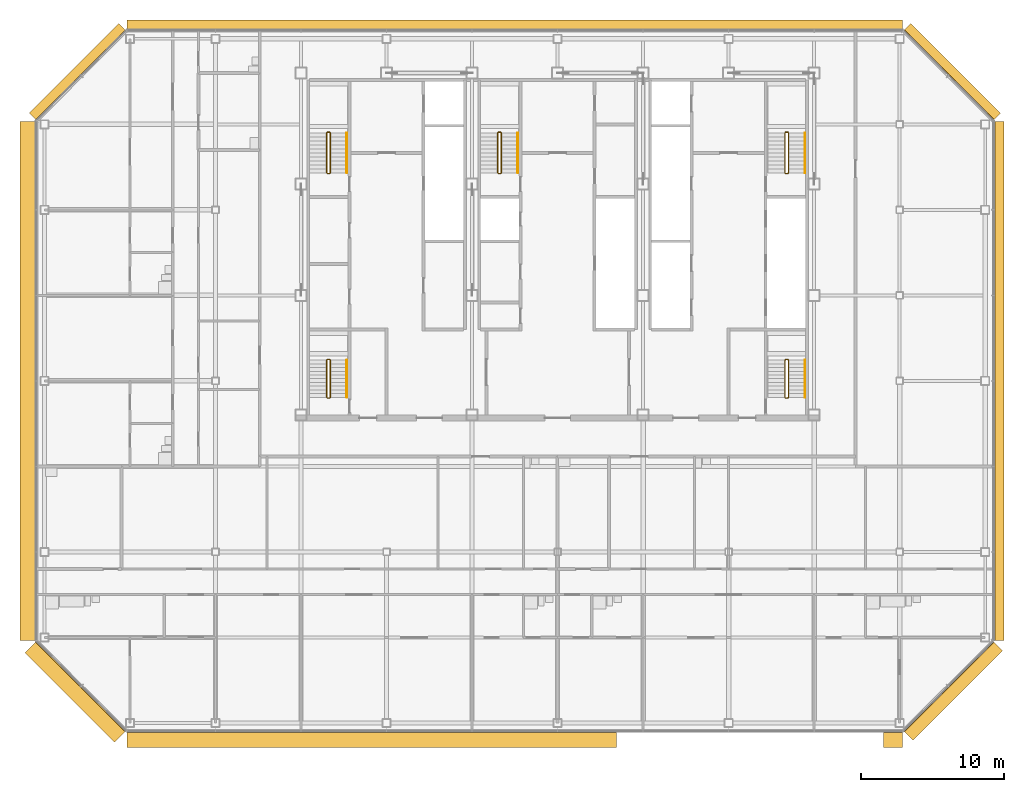
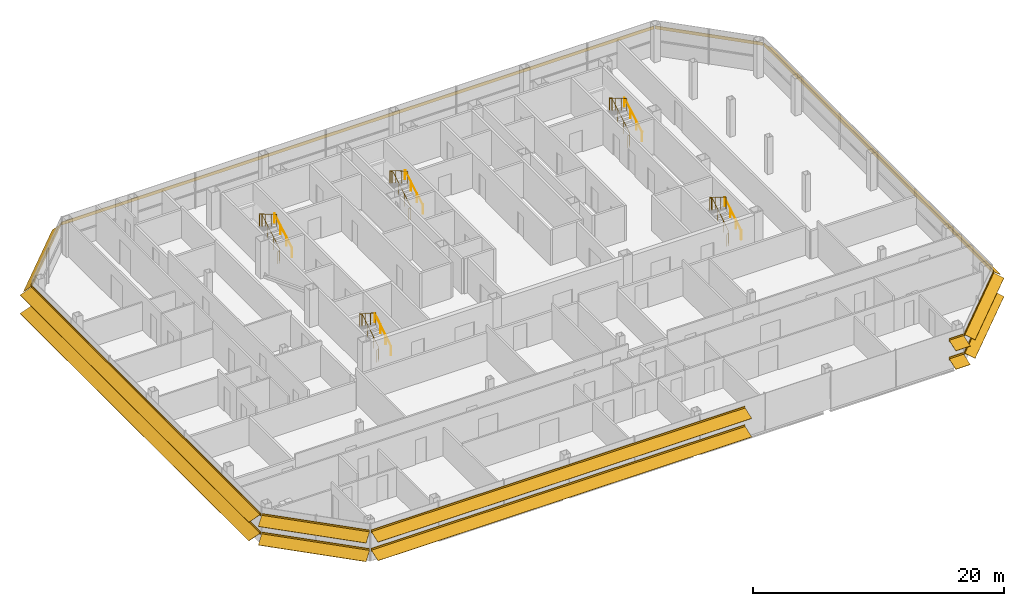
# One storey, part 27 of 28: 10 railings, 9 shading devices.
"""IFC4 building model written with IfcOpenShell, lengths in metres."""

from ifc_helpers import new_model, si_unit, direction, frame, origin, origin_2d, place, context, subcontext, project, spatial, polyline, circle, outline, composite_profile, extrude, material, type_object, element, save


model = new_model("IFC4")

# Units and contexts
model_context = context("Model", 3, precision=1e-05, world=origin(), true_north=direction((0.0, 1.0)))
body_context = subcontext(model_context, "Body", "Model", "MODEL_VIEW")
ifc_project = project(units=[si_unit("LENGTHUNIT", "METRE"), si_unit("AREAUNIT", "SQUARE_METRE"), si_unit("VOLUMEUNIT", "CUBIC_METRE"), si_unit("PLANEANGLEUNIT", "RADIAN"), si_unit("MASSUNIT", "GRAM", prefix="KILO")], contexts=[model_context])

# Site, building, storey
site_placement = place(None, origin())
site = spatial("IfcSite", under=ifc_project, at=site_placement, CompositionType="ELEMENT")
building_placement = place(site_placement, origin())
building = spatial("IfcBuilding", under=site, at=building_placement, Name="Sorahane Residences", CompositionType="ELEMENT")
storey_placement = place(building_placement, frame((0.0, 0.0, 266.60009765625)))
storey = spatial("IfcBuildingStorey", under=building, at=storey_placement, Name="L63", CompositionType="ELEMENT", Elevation=266.60009765625)

# Shading devices
ifc_material_1 = material(Name="Terracotta anodised aluminium", Category="masonry")
shading_device_type_1 = type_object("IfcShadingDeviceType", Name="Louvre sunshade blade E terracotta aluminium 700", PredefinedType="JALOUSIE", material=ifc_material_1)
shading_device_1_placement = place(storey_placement, frame((54.60009765625, 5.801513671875, 2.699951171875), z_axis=(0.0, 1.0, 0.0), x_axis=(-1.0, 0.0, 0.0)))
element("IfcShadingDevice", 1, at=shading_device_1_placement, inside=storey, type_object=shading_device_type_1, Name="Louvre sunshade blade bank E L63 E1", PredefinedType="JALOUSIE", context=body_context, shape_type="SweptSolid", body=[
    extrude(outline(polyline([(-0.719970703125, -0.49365234375), (-0.719970703125, -0.523681640625), (-0.080078125, -0.05859375), (-0.080078125, -0.14990234375), (-0.02001953125, -0.14990234375), (-0.02001953125, -0.014892578125), (-0.02001953125, 0.014892578125), (-0.02001953125, 0.14990234375), (-0.080078125, 0.14990234375), (-0.080078125, -0.028564453125), (-0.719970703125, -0.49365234375)])), origin(), (0.0, 0.0, 1.0), 36.39697265625),
])
ifc_material_2 = material(Name="Terracotta anodised aluminium", Category="masonry")
shading_device_type_2 = type_object("IfcShadingDeviceType", Name="Louvre sunshade blade N terracotta aluminium 700", PredefinedType="JALOUSIE", material=ifc_material_2)
shading_device_2_placement = place(storey_placement, frame((48.198486328125, 48.60009765625, 2.699951171875), z_axis=(-1.0, 0.0, 0.0), x_axis=(0.0, -1.0, 0.0)))
element("IfcShadingDevice", 2, at=shading_device_2_placement, inside=storey, type_object=shading_device_type_2, Name="Louvre sunshade blade bank N L63 N1", PredefinedType="JALOUSIE", context=body_context, shape_type="SweptSolid", body=[
    extrude(outline(polyline([(-0.719970703125, -0.660888671875), (-0.719970703125, -0.69091796875), (-0.080078125, -0.072998046875), (-0.080078125, -0.14990234375), (-0.02001953125, -0.14990234375), (-0.02001953125, -0.014892578125), (-0.02001953125, 0.014892578125), (-0.02001953125, 0.14990234375), (-0.080078125, 0.14990234375), (-0.080078125, -0.04296875), (-0.719970703125, -0.660888671875)])), origin(), (0.0, 0.0, 1.0), 54.39697265625),
])
ifc_material_3 = material(Name="Terracotta anodised aluminium", Category="masonry")
shading_device_type_3 = type_object("IfcShadingDeviceType", Name="Louvre sunshade blade NE terracotta aluminium 700", PredefinedType="JALOUSIE", material=ifc_material_3)
shading_device_3_placement = place(storey_placement, frame((54.564697265625, 42.283935546875, 2.699951171875), z_axis=(-0.707106781187, 0.707106781187, 0.0), x_axis=(-0.707106781187, -0.707106781187, 0.0)))
element("IfcShadingDevice", 3, at=shading_device_3_placement, inside=storey, type_object=shading_device_type_3, Name="Louvre sunshade blade bank NE L63 NE1", PredefinedType="JALOUSIE", context=body_context, shape_type="SweptSolid", body=[
    extrude(outline(polyline([(-0.719970703125, -0.572509765625), (-0.719970703125, -0.602294921875), (-0.080078125, -0.065185546875), (-0.080078125, -0.14990234375), (-0.02001953125, -0.14990234375), (-0.02001953125, -0.014892578125), (-0.02001953125, 0.014892578125), (-0.02001953125, 0.14990234375), (-0.080078125, 0.14990234375), (-0.080078125, -0.035400390625), (-0.719970703125, -0.572509765625)])), origin(), (0.0, 0.0, 1.0), 8.88232421875),
])
ifc_material_4 = material(Name="Terracotta anodised aluminium", Category="masonry")
shading_device_type_4 = type_object("IfcShadingDeviceType", Name="Louvre sunshade blade NW terracotta aluminium 700", PredefinedType="JALOUSIE", material=ifc_material_4)
shading_device_4_placement = place(storey_placement, frame((-6.283935546875, 48.564697265625, 2.699951171875), z_axis=(-0.707106781187, -0.707106781187, 0.0), x_axis=(0.707106781187, -0.707106781187, 0.0)))
element("IfcShadingDevice", 4, at=shading_device_4_placement, inside=storey, type_object=shading_device_type_4, Name="Louvre sunshade blade bank NW L63 NW1", PredefinedType="JALOUSIE", context=body_context, shape_type="SweptSolid", body=[
    extrude(outline(polyline([(-0.719970703125, -0.660888671875), (-0.719970703125, -0.69091796875), (-0.080078125, -0.072998046875), (-0.080078125, -0.14990234375), (-0.02001953125, -0.14990234375), (-0.02001953125, -0.014892578125), (-0.02001953125, 0.014892578125), (-0.02001953125, 0.14990234375), (-0.080078125, 0.14990234375), (-0.080078125, -0.04296875), (-0.719970703125, -0.660888671875)])), origin(), (0.0, 0.0, 1.0), 8.88232421875),
])
ifc_material_5 = material(Name="Terracotta anodised aluminium", Category="masonry")
shading_device_type_5 = type_object("IfcShadingDeviceType", Name="Louvre sunshade blade S terracotta aluminium 1100", PredefinedType="JALOUSIE", material=ifc_material_5)
shading_device_5_placement = place(storey_placement, frame((-6.198486328125, -0.60009765625, 0.89990234375), z_axis=(1.0, 0.0, 0.0), x_axis=(0.0, 1.0, 0.0)))
element("IfcShadingDevice", 5, at=shading_device_5_placement, inside=storey, type_object=shading_device_type_5, Name="Louvre sunshade blade bank S L63 S1", PredefinedType="JALOUSIE", context=body_context, shape_type="SweptSolid", body=[
    extrude(composite_profile([outline(polyline([(-1.1201171875, -0.385498046875), (-1.1201171875, -0.415283203125), (-0.080078125, -0.036865234375), (-0.080078125, -0.14990234375), (-0.02001953125, -0.14990234375), (-0.02001953125, -0.014892578125), (-0.02001953125, 0.014892578125), (-0.02001953125, 0.14990234375), (-0.080078125, 0.14990234375), (-0.080078125, -0.0068359375), (-1.1201171875, -0.385498046875)])), outline(polyline([(-1.1201171875, 1.41455078125), (-1.1201171875, 1.384521484375), (-0.080078125, 1.76318359375), (-0.080078125, 1.64990234375), (-0.02001953125, 1.64990234375), (-0.02001953125, 1.784912109375), (-0.02001953125, 1.81494140625), (-0.02001953125, 1.949951171875), (-0.080078125, 1.949951171875), (-0.080078125, 1.793212890625), (-1.1201171875, 1.41455078125)]))]), origin(), (0.0, 0.0, 1.0), 34.3291015625),
])
shading_device_6_placement = place(storey_placement, frame((46.869384765625, -0.60009765625, 0.89990234375), z_axis=(1.0, 0.0, 0.0), x_axis=(0.0, 1.0, 0.0)))
element("IfcShadingDevice", 6, at=shading_device_6_placement, inside=storey, type_object=shading_device_type_5, Name="Louvre sunshade blade bank S L63 S1 part 2", PredefinedType="JALOUSIE", context=body_context, shape_type="SweptSolid", body=[
    extrude(composite_profile([outline(polyline([(-1.1201171875, -0.385498046875), (-1.1201171875, -0.415283203125), (-0.080078125, -0.036865234375), (-0.080078125, -0.14990234375), (-0.02001953125, -0.14990234375), (-0.02001953125, -0.014892578125), (-0.02001953125, 0.014892578125), (-0.02001953125, 0.14990234375), (-0.080078125, 0.14990234375), (-0.080078125, -0.0068359375), (-1.1201171875, -0.385498046875)])), outline(polyline([(-1.1201171875, 1.41455078125), (-1.1201171875, 1.384521484375), (-0.080078125, 1.76318359375), (-0.080078125, 1.64990234375), (-0.02001953125, 1.64990234375), (-0.02001953125, 1.784912109375), (-0.02001953125, 1.81494140625), (-0.02001953125, 1.949951171875), (-0.080078125, 1.949951171875), (-0.080078125, 1.793212890625), (-1.1201171875, 1.41455078125)]))]), origin(), (0.0, 0.0, 1.0), 1.3291015625),
])
ifc_material_6 = material(Name="Terracotta anodised aluminium", Category="masonry")
shading_device_type_6 = type_object("IfcShadingDeviceType", Name="Louvre sunshade blade SE terracotta aluminium 900", PredefinedType="JALOUSIE", material=ifc_material_6)
shading_device_7_placement = place(storey_placement, frame((48.283935546875, -0.564697265625, 0.89990234375), z_axis=(0.707106781187, 0.707106781187, 0.0), x_axis=(-0.707106781187, 0.707106781187, 0.0)))
element("IfcShadingDevice", 7, at=shading_device_7_placement, inside=storey, type_object=shading_device_type_6, Name="Louvre sunshade blade bank SE L63 SE1", PredefinedType="JALOUSIE", context=body_context, shape_type="SweptSolid", body=[
    extrude(composite_profile([outline(polyline([(-0.919921875, -0.3486328125), (-0.919921875, -0.378662109375), (-0.080078125, -0.039306640625), (-0.080078125, -0.14990234375), (-0.02001953125, -0.14990234375), (-0.02001953125, -0.014892578125), (-0.02001953125, 0.014892578125), (-0.02001953125, 0.14990234375), (-0.080078125, 0.14990234375), (-0.080078125, -0.00927734375), (-0.919921875, -0.3486328125)])), outline(polyline([(-0.919921875, 1.451416015625), (-0.919921875, 1.42138671875), (-0.080078125, 1.7607421875), (-0.080078125, 1.64990234375), (-0.02001953125, 1.64990234375), (-0.02001953125, 1.784912109375), (-0.02001953125, 1.81494140625), (-0.02001953125, 1.949951171875), (-0.080078125, 1.949951171875), (-0.080078125, 1.790771484375), (-0.919921875, 1.451416015625)]))]), origin(), (0.0, 0.0, 1.0), 8.88232421875),
])
ifc_material_7 = material(Name="Terracotta anodised aluminium", Category="masonry")
shading_device_type_7 = type_object("IfcShadingDeviceType", Name="Louvre sunshade blade SW terracotta aluminium 1100", PredefinedType="JALOUSIE", material=ifc_material_7)
shading_device_8_placement = place(storey_placement, frame((-12.564697265625, 5.716064453125, 0.89990234375), z_axis=(0.707106781187, -0.707106781187, 0.0), x_axis=(0.707106781187, 0.707106781187, 0.0)))
element("IfcShadingDevice", 8, at=shading_device_8_placement, inside=storey, type_object=shading_device_type_7, Name="Louvre sunshade blade bank SW L63 SW1", PredefinedType="JALOUSIE", context=body_context, shape_type="SweptSolid", body=[
    extrude(composite_profile([outline(polyline([(-1.1201171875, -0.385498046875), (-1.1201171875, -0.415283203125), (-0.080078125, -0.036865234375), (-0.080078125, -0.14990234375), (-0.02001953125, -0.14990234375), (-0.02001953125, -0.014892578125), (-0.02001953125, 0.014892578125), (-0.02001953125, 0.14990234375), (-0.080078125, 0.14990234375), (-0.080078125, -0.0068359375), (-1.1201171875, -0.385498046875)])), outline(polyline([(-1.1201171875, 1.41455078125), (-1.1201171875, 1.384521484375), (-0.080078125, 1.76318359375), (-0.080078125, 1.64990234375), (-0.02001953125, 1.64990234375), (-0.02001953125, 1.784912109375), (-0.02001953125, 1.81494140625), (-0.02001953125, 1.949951171875), (-0.080078125, 1.949951171875), (-0.080078125, 1.793212890625), (-1.1201171875, 1.41455078125)]))]), origin(), (0.0, 0.0, 1.0), 8.88232421875),
])
ifc_material_8 = material(Name="Terracotta anodised aluminium", Category="masonry")
shading_device_type_8 = type_object("IfcShadingDeviceType", Name="Louvre sunshade blade W terracotta aluminium 1100", PredefinedType="JALOUSIE", material=ifc_material_8)
shading_device_9_placement = place(storey_placement, frame((-12.60009765625, 42.198486328125, 0.89990234375), z_axis=(0.0, -1.0, 0.0), x_axis=(1.0, 0.0, 0.0)))
element("IfcShadingDevice", 9, at=shading_device_9_placement, inside=storey, type_object=shading_device_type_8, Name="Louvre sunshade blade bank W L63 W1", PredefinedType="JALOUSIE", context=body_context, shape_type="SweptSolid", body=[
    extrude(composite_profile([outline(polyline([(-1.1201171875, -0.385498046875), (-1.1201171875, -0.415283203125), (-0.080078125, -0.036865234375), (-0.080078125, -0.14990234375), (-0.02001953125, -0.14990234375), (-0.02001953125, -0.014892578125), (-0.02001953125, 0.014892578125), (-0.02001953125, 0.14990234375), (-0.080078125, 0.14990234375), (-0.080078125, -0.0068359375), (-1.1201171875, -0.385498046875)])), outline(polyline([(-1.1201171875, 1.41455078125), (-1.1201171875, 1.384521484375), (-0.080078125, 1.76318359375), (-0.080078125, 1.64990234375), (-0.02001953125, 1.64990234375), (-0.02001953125, 1.784912109375), (-0.02001953125, 1.81494140625), (-0.02001953125, 1.949951171875), (-0.080078125, 1.949951171875), (-0.080078125, 1.793212890625), (-1.1201171875, 1.41455078125)]))]), origin(), (0.0, 0.0, 1.0), 36.39697265625),
])

# Railings
ifc_material_9 = material(Name="Steel Q355B", Category="steel")
railing_type_1 = type_object("IfcRailingType", Name="Stair guard 1200 Steel Q355B", PredefinedType="GUARDRAIL", material=ifc_material_9)
railing_1_placement = place(storey_placement, frame((7.85009765625, 38.550048828125, 0.0)))
element("IfcRailing", 10, at=railing_1_placement, inside=storey, type_object=railing_type_1, Name="L63 S1 stair guard 1", PredefinedType="GUARDRAIL", context=body_context, shape_type="SweptSolid", body=[
    extrude(circle(Radius=0.02392578125, at=origin_2d()), frame((0.0, 0.0, 1.17578125), z_axis=(1.0, 0.0, 0.0), x_axis=(0.0, 1.0, 0.0)), (0.0, 0.0, 1.0), 0.14990234375),
    extrude(circle(Radius=0.02392578125, at=origin_2d()), frame((0.14990234375, 0.0, 1.17578125), z_axis=(0.280808744504, 0.280808744504, 0.917765164963), x_axis=(-0.707106781187, 0.707106781187, 0.0)), (0.0, 0.0, 1.0), 0.17822265625),
    extrude(circle(Radius=0.02392578125, at=origin_2d()), frame((0.199951171875, 0.050048828125, 1.33935546875), z_axis=(0.0, 0.863374499697, 0.504563646405), x_axis=(-1.0, 0.0, 0.0)), (0.0, 0.0, 1.0), 3.242919921875),
    extrude(circle(Radius=0.02392578125, at=origin_2d()), frame((0.199951171875, 2.849853515625, 2.9755859375), z_axis=(-0.707106781187, 0.707106781187, 0.0), x_axis=(-0.707106781187, -0.707106781187, 0.0)), (0.0, 0.0, 1.0), 0.07080078125),
    extrude(circle(Radius=0.02392578125, at=origin_2d()), frame((0.14990234375, 2.89990234375, 2.9755859375), z_axis=(-1.0, 0.0, 0.0), x_axis=(0.0, -1.0, 0.0)), (0.0, 0.0, 1.0), 0.14990234375),
    extrude(circle(Radius=0.02392578125, at=origin_2d()), frame((0.0, 2.89990234375, 2.9755859375), z_axis=(-0.280456126637, -0.280456126637, 0.917980785237), x_axis=(0.707106781187, -0.707106781187, 0.0)), (0.0, 0.0, 1.0), 0.178466796875),
    extrude(circle(Radius=0.02392578125, at=origin_2d()), frame((-0.050048828125, 2.849853515625, 3.1396484375), z_axis=(0.0, -0.863374499697, 0.504563646405), x_axis=(1.0, 0.0, 0.0)), (0.0, 0.0, 1.0), 3.242919921875),
    extrude(circle(Radius=0.02099609375, at=origin_2d()), origin(), (0.0, 0.0, 1.0), 1.15185546875),
    extrude(circle(Radius=0.02099609375, at=origin_2d()), frame((0.14990234375, 0.0, 0.0)), (0.0, 0.0, 1.0), 1.15185546875),
    extrude(circle(Radius=0.02099609375, at=origin_2d()), frame((0.199951171875, 0.050048828125, 0.16357421875)), (0.0, 0.0, 1.0), 1.15185546875),
    extrude(circle(Radius=0.02099609375, at=origin_2d()), frame((0.199951171875, 0.9833984375, 0.708984375)), (0.0, 0.0, 1.0), 1.15185546875),
    extrude(circle(Radius=0.02099609375, at=origin_2d()), frame((0.199951171875, 1.91650390625, 1.25439453125)), (0.0, 0.0, 1.0), 1.15185546875),
    extrude(circle(Radius=0.02099609375, at=origin_2d()), frame((0.199951171875, 2.849853515625, 1.7998046875)), (0.0, 0.0, 1.0), 1.15185546875),
    extrude(circle(Radius=0.02099609375, at=origin_2d()), frame((0.14990234375, 2.89990234375, 1.7998046875)), (0.0, 0.0, 1.0), 1.15185546875),
    extrude(circle(Radius=0.02099609375, at=origin_2d()), frame((0.0, 2.89990234375, 1.7998046875)), (0.0, 0.0, 1.0), 1.15185546875),
    extrude(circle(Radius=0.02099609375, at=origin_2d()), frame((-0.050048828125, 2.849853515625, 1.963623046875)), (0.0, 0.0, 1.0), 1.15185546875),
    extrude(circle(Radius=0.02099609375, at=origin_2d()), frame((-0.050048828125, 1.91650390625, 2.509033203125)), (0.0, 0.0, 1.0), 1.15185546875),
    extrude(circle(Radius=0.02099609375, at=origin_2d()), frame((-0.050048828125, 0.9833984375, 3.054443359375)), (0.0, 0.0, 1.0), 1.15185546875),
    extrude(circle(Radius=0.02099609375, at=origin_2d()), frame((-0.050048828125, 0.050048828125, 3.599853515625)), (0.0, 0.0, 1.0), 1.15185546875),
])
railing_2_placement = place(storey_placement, frame((40.0, 38.550048828125, 0.0)))
element("IfcRailing", 11, at=railing_2_placement, inside=storey, type_object=railing_type_1, Name="L63 S2 stair guard 1", PredefinedType="GUARDRAIL", context=body_context, shape_type="SweptSolid", body=[
    extrude(circle(Radius=0.02392578125, at=origin_2d()), frame((0.0, 0.0, 1.17578125), z_axis=(1.0, 0.0, 0.0), x_axis=(0.0, 1.0, 0.0)), (0.0, 0.0, 1.0), 0.14990234375),
    extrude(circle(Radius=0.02392578125, at=origin_2d()), frame((0.14990234375, 0.0, 1.17578125), z_axis=(0.280808744504, 0.280808744504, 0.917765164963), x_axis=(-0.707106781187, 0.707106781187, 0.0)), (0.0, 0.0, 1.0), 0.17822265625),
    extrude(circle(Radius=0.02392578125, at=origin_2d()), frame((0.199951171875, 0.050048828125, 1.33935546875), z_axis=(0.0, 0.863374499697, 0.504563646405), x_axis=(-1.0, 0.0, 0.0)), (0.0, 0.0, 1.0), 3.242919921875),
    extrude(circle(Radius=0.02392578125, at=origin_2d()), frame((0.199951171875, 2.849853515625, 2.9755859375), z_axis=(-0.707106781187, 0.707106781187, 0.0), x_axis=(-0.707106781187, -0.707106781187, 0.0)), (0.0, 0.0, 1.0), 0.07080078125),
    extrude(circle(Radius=0.02392578125, at=origin_2d()), frame((0.14990234375, 2.89990234375, 2.9755859375), z_axis=(-1.0, 0.0, 0.0), x_axis=(0.0, -1.0, 0.0)), (0.0, 0.0, 1.0), 0.14990234375),
    extrude(circle(Radius=0.02392578125, at=origin_2d()), frame((0.0, 2.89990234375, 2.9755859375), z_axis=(-0.280456126637, -0.280456126637, 0.917980785237), x_axis=(0.707106781187, -0.707106781187, 0.0)), (0.0, 0.0, 1.0), 0.178466796875),
    extrude(circle(Radius=0.02392578125, at=origin_2d()), frame((-0.050048828125, 2.849853515625, 3.1396484375), z_axis=(0.0, -0.863374499697, 0.504563646405), x_axis=(1.0, 0.0, 0.0)), (0.0, 0.0, 1.0), 3.242919921875),
    extrude(circle(Radius=0.02099609375, at=origin_2d()), origin(), (0.0, 0.0, 1.0), 1.15185546875),
    extrude(circle(Radius=0.02099609375, at=origin_2d()), frame((0.14990234375, 0.0, 0.0)), (0.0, 0.0, 1.0), 1.15185546875),
    extrude(circle(Radius=0.02099609375, at=origin_2d()), frame((0.199951171875, 0.050048828125, 0.16357421875)), (0.0, 0.0, 1.0), 1.15185546875),
    extrude(circle(Radius=0.02099609375, at=origin_2d()), frame((0.199951171875, 0.9833984375, 0.708984375)), (0.0, 0.0, 1.0), 1.15185546875),
    extrude(circle(Radius=0.02099609375, at=origin_2d()), frame((0.199951171875, 1.91650390625, 1.25439453125)), (0.0, 0.0, 1.0), 1.15185546875),
    extrude(circle(Radius=0.02099609375, at=origin_2d()), frame((0.199951171875, 2.849853515625, 1.7998046875)), (0.0, 0.0, 1.0), 1.15185546875),
    extrude(circle(Radius=0.02099609375, at=origin_2d()), frame((0.14990234375, 2.89990234375, 1.7998046875)), (0.0, 0.0, 1.0), 1.15185546875),
    extrude(circle(Radius=0.02099609375, at=origin_2d()), frame((0.0, 2.89990234375, 1.7998046875)), (0.0, 0.0, 1.0), 1.15185546875),
    extrude(circle(Radius=0.02099609375, at=origin_2d()), frame((-0.050048828125, 2.849853515625, 1.963623046875)), (0.0, 0.0, 1.0), 1.15185546875),
    extrude(circle(Radius=0.02099609375, at=origin_2d()), frame((-0.050048828125, 1.91650390625, 2.509033203125)), (0.0, 0.0, 1.0), 1.15185546875),
    extrude(circle(Radius=0.02099609375, at=origin_2d()), frame((-0.050048828125, 0.9833984375, 3.054443359375)), (0.0, 0.0, 1.0), 1.15185546875),
    extrude(circle(Radius=0.02099609375, at=origin_2d()), frame((-0.050048828125, 0.050048828125, 3.599853515625)), (0.0, 0.0, 1.0), 1.15185546875),
])
railing_3_placement = place(storey_placement, frame((19.85009765625, 38.550048828125, 0.0)))
element("IfcRailing", 12, at=railing_3_placement, inside=storey, type_object=railing_type_1, Name="L63 S3 stair guard 1", PredefinedType="GUARDRAIL", context=body_context, shape_type="SweptSolid", body=[
    extrude(circle(Radius=0.02392578125, at=origin_2d()), frame((0.0, 0.0, 1.17578125), z_axis=(1.0, 0.0, 0.0), x_axis=(0.0, 1.0, 0.0)), (0.0, 0.0, 1.0), 0.14990234375),
    extrude(circle(Radius=0.02392578125, at=origin_2d()), frame((0.14990234375, 0.0, 1.17578125), z_axis=(0.280808744504, 0.280808744504, 0.917765164963), x_axis=(-0.707106781187, 0.707106781187, 0.0)), (0.0, 0.0, 1.0), 0.17822265625),
    extrude(circle(Radius=0.02392578125, at=origin_2d()), frame((0.199951171875, 0.050048828125, 1.33935546875), z_axis=(0.0, 0.863374499697, 0.504563646405), x_axis=(-1.0, 0.0, 0.0)), (0.0, 0.0, 1.0), 3.242919921875),
    extrude(circle(Radius=0.02392578125, at=origin_2d()), frame((0.199951171875, 2.849853515625, 2.9755859375), z_axis=(-0.707106781187, 0.707106781187, 0.0), x_axis=(-0.707106781187, -0.707106781187, 0.0)), (0.0, 0.0, 1.0), 0.07080078125),
    extrude(circle(Radius=0.02392578125, at=origin_2d()), frame((0.14990234375, 2.89990234375, 2.9755859375), z_axis=(-1.0, 0.0, 0.0), x_axis=(0.0, -1.0, 0.0)), (0.0, 0.0, 1.0), 0.14990234375),
    extrude(circle(Radius=0.02392578125, at=origin_2d()), frame((0.0, 2.89990234375, 2.9755859375), z_axis=(-0.280456126637, -0.280456126637, 0.917980785237), x_axis=(0.707106781187, -0.707106781187, 0.0)), (0.0, 0.0, 1.0), 0.178466796875),
    extrude(circle(Radius=0.02392578125, at=origin_2d()), frame((-0.050048828125, 2.849853515625, 3.1396484375), z_axis=(0.0, -0.863374499697, 0.504563646405), x_axis=(1.0, 0.0, 0.0)), (0.0, 0.0, 1.0), 3.242919921875),
    extrude(circle(Radius=0.02099609375, at=origin_2d()), origin(), (0.0, 0.0, 1.0), 1.15185546875),
    extrude(circle(Radius=0.02099609375, at=origin_2d()), frame((0.14990234375, 0.0, 0.0)), (0.0, 0.0, 1.0), 1.15185546875),
    extrude(circle(Radius=0.02099609375, at=origin_2d()), frame((0.199951171875, 0.050048828125, 0.16357421875)), (0.0, 0.0, 1.0), 1.15185546875),
    extrude(circle(Radius=0.02099609375, at=origin_2d()), frame((0.199951171875, 0.9833984375, 0.708984375)), (0.0, 0.0, 1.0), 1.15185546875),
    extrude(circle(Radius=0.02099609375, at=origin_2d()), frame((0.199951171875, 1.91650390625, 1.25439453125)), (0.0, 0.0, 1.0), 1.15185546875),
    extrude(circle(Radius=0.02099609375, at=origin_2d()), frame((0.199951171875, 2.849853515625, 1.7998046875)), (0.0, 0.0, 1.0), 1.15185546875),
    extrude(circle(Radius=0.02099609375, at=origin_2d()), frame((0.14990234375, 2.89990234375, 1.7998046875)), (0.0, 0.0, 1.0), 1.15185546875),
    extrude(circle(Radius=0.02099609375, at=origin_2d()), frame((0.0, 2.89990234375, 1.7998046875)), (0.0, 0.0, 1.0), 1.15185546875),
    extrude(circle(Radius=0.02099609375, at=origin_2d()), frame((-0.050048828125, 2.849853515625, 1.963623046875)), (0.0, 0.0, 1.0), 1.15185546875),
    extrude(circle(Radius=0.02099609375, at=origin_2d()), frame((-0.050048828125, 1.91650390625, 2.509033203125)), (0.0, 0.0, 1.0), 1.15185546875),
    extrude(circle(Radius=0.02099609375, at=origin_2d()), frame((-0.050048828125, 0.9833984375, 3.054443359375)), (0.0, 0.0, 1.0), 1.15185546875),
    extrude(circle(Radius=0.02099609375, at=origin_2d()), frame((-0.050048828125, 0.050048828125, 3.599853515625)), (0.0, 0.0, 1.0), 1.15185546875),
])
railing_4_placement = place(storey_placement, frame((7.85009765625, 22.800048828125, 0.0)))
element("IfcRailing", 13, at=railing_4_placement, inside=storey, type_object=railing_type_1, Name="L63 S4 stair guard 1", PredefinedType="GUARDRAIL", context=body_context, shape_type="SweptSolid", body=[
    extrude(circle(Radius=0.02392578125, at=origin_2d()), frame((0.0, 0.0, 1.17578125), z_axis=(1.0, 0.0, 0.0), x_axis=(0.0, 1.0, 0.0)), (0.0, 0.0, 1.0), 0.14990234375),
    extrude(circle(Radius=0.02392578125, at=origin_2d()), frame((0.14990234375, 0.0, 1.17578125), z_axis=(0.280808744504, 0.280808744504, 0.917765164963), x_axis=(-0.707106781187, 0.707106781187, 0.0)), (0.0, 0.0, 1.0), 0.17822265625),
    extrude(circle(Radius=0.02392578125, at=origin_2d()), frame((0.199951171875, 0.050048828125, 1.33935546875), z_axis=(0.0, 0.846337672412, 0.532646734952), x_axis=(-1.0, 0.0, 0.0)), (0.0, 0.0, 1.0), 3.07177734375),
    extrude(circle(Radius=0.02392578125, at=origin_2d()), frame((0.199951171875, 2.64990234375, 2.9755859375), z_axis=(-0.707106781187, 0.707106781187, 0.0), x_axis=(-0.707106781187, -0.707106781187, 0.0)), (0.0, 0.0, 1.0), 0.07080078125),
    extrude(circle(Radius=0.02392578125, at=origin_2d()), frame((0.14990234375, 2.699951171875, 2.9755859375), z_axis=(-1.0, 0.0, 0.0), x_axis=(0.0, -1.0, 0.0)), (0.0, 0.0, 1.0), 0.14990234375),
    extrude(circle(Radius=0.02392578125, at=origin_2d()), frame((0.0, 2.699951171875, 2.9755859375), z_axis=(-0.280456126637, -0.280456126637, 0.917980785237), x_axis=(0.707106781187, -0.707106781187, 0.0)), (0.0, 0.0, 1.0), 0.178466796875),
    extrude(circle(Radius=0.02392578125, at=origin_2d()), frame((-0.050048828125, 2.64990234375, 3.1396484375), z_axis=(0.0, -0.846337672412, 0.532646734952), x_axis=(1.0, 0.0, 0.0)), (0.0, 0.0, 1.0), 3.07177734375),
    extrude(circle(Radius=0.02099609375, at=origin_2d()), origin(), (0.0, 0.0, 1.0), 1.15185546875),
    extrude(circle(Radius=0.02099609375, at=origin_2d()), frame((0.14990234375, 0.0, 0.0)), (0.0, 0.0, 1.0), 1.15185546875),
    extrude(circle(Radius=0.02099609375, at=origin_2d()), frame((0.199951171875, 0.050048828125, 0.16357421875)), (0.0, 0.0, 1.0), 1.15185546875),
    extrude(circle(Radius=0.02099609375, at=origin_2d()), frame((0.199951171875, 0.916748046875, 0.708984375)), (0.0, 0.0, 1.0), 1.15185546875),
    extrude(circle(Radius=0.02099609375, at=origin_2d()), frame((0.199951171875, 1.783203125, 1.25439453125)), (0.0, 0.0, 1.0), 1.15185546875),
    extrude(circle(Radius=0.02099609375, at=origin_2d()), frame((0.199951171875, 2.64990234375, 1.7998046875)), (0.0, 0.0, 1.0), 1.15185546875),
    extrude(circle(Radius=0.02099609375, at=origin_2d()), frame((0.14990234375, 2.699951171875, 1.7998046875)), (0.0, 0.0, 1.0), 1.15185546875),
    extrude(circle(Radius=0.02099609375, at=origin_2d()), frame((0.0, 2.699951171875, 1.7998046875)), (0.0, 0.0, 1.0), 1.15185546875),
    extrude(circle(Radius=0.02099609375, at=origin_2d()), frame((-0.050048828125, 2.64990234375, 1.963623046875)), (0.0, 0.0, 1.0), 1.15185546875),
    extrude(circle(Radius=0.02099609375, at=origin_2d()), frame((-0.050048828125, 1.783203125, 2.509033203125)), (0.0, 0.0, 1.0), 1.15185546875),
    extrude(circle(Radius=0.02099609375, at=origin_2d()), frame((-0.050048828125, 0.916748046875, 3.054443359375)), (0.0, 0.0, 1.0), 1.15185546875),
    extrude(circle(Radius=0.02099609375, at=origin_2d()), frame((-0.050048828125, 0.050048828125, 3.599853515625)), (0.0, 0.0, 1.0), 1.15185546875),
])
railing_5_placement = place(storey_placement, frame((40.0, 22.800048828125, 0.0)))
element("IfcRailing", 14, at=railing_5_placement, inside=storey, type_object=railing_type_1, Name="L63 S5 stair guard 1", PredefinedType="GUARDRAIL", context=body_context, shape_type="SweptSolid", body=[
    extrude(circle(Radius=0.02392578125, at=origin_2d()), frame((0.0, 0.0, 1.17578125), z_axis=(1.0, 0.0, 0.0), x_axis=(0.0, 1.0, 0.0)), (0.0, 0.0, 1.0), 0.14990234375),
    extrude(circle(Radius=0.02392578125, at=origin_2d()), frame((0.14990234375, 0.0, 1.17578125), z_axis=(0.280808744504, 0.280808744504, 0.917765164963), x_axis=(-0.707106781187, 0.707106781187, 0.0)), (0.0, 0.0, 1.0), 0.17822265625),
    extrude(circle(Radius=0.02392578125, at=origin_2d()), frame((0.199951171875, 0.050048828125, 1.33935546875), z_axis=(0.0, 0.846337672412, 0.532646734952), x_axis=(-1.0, 0.0, 0.0)), (0.0, 0.0, 1.0), 3.07177734375),
    extrude(circle(Radius=0.02392578125, at=origin_2d()), frame((0.199951171875, 2.64990234375, 2.9755859375), z_axis=(-0.707106781187, 0.707106781187, 0.0), x_axis=(-0.707106781187, -0.707106781187, 0.0)), (0.0, 0.0, 1.0), 0.07080078125),
    extrude(circle(Radius=0.02392578125, at=origin_2d()), frame((0.14990234375, 2.699951171875, 2.9755859375), z_axis=(-1.0, 0.0, 0.0), x_axis=(0.0, -1.0, 0.0)), (0.0, 0.0, 1.0), 0.14990234375),
    extrude(circle(Radius=0.02392578125, at=origin_2d()), frame((0.0, 2.699951171875, 2.9755859375), z_axis=(-0.280456126637, -0.280456126637, 0.917980785237), x_axis=(0.707106781187, -0.707106781187, 0.0)), (0.0, 0.0, 1.0), 0.178466796875),
    extrude(circle(Radius=0.02392578125, at=origin_2d()), frame((-0.050048828125, 2.64990234375, 3.1396484375), z_axis=(0.0, -0.846337672412, 0.532646734952), x_axis=(1.0, 0.0, 0.0)), (0.0, 0.0, 1.0), 3.07177734375),
    extrude(circle(Radius=0.02099609375, at=origin_2d()), origin(), (0.0, 0.0, 1.0), 1.15185546875),
    extrude(circle(Radius=0.02099609375, at=origin_2d()), frame((0.14990234375, 0.0, 0.0)), (0.0, 0.0, 1.0), 1.15185546875),
    extrude(circle(Radius=0.02099609375, at=origin_2d()), frame((0.199951171875, 0.050048828125, 0.16357421875)), (0.0, 0.0, 1.0), 1.15185546875),
    extrude(circle(Radius=0.02099609375, at=origin_2d()), frame((0.199951171875, 0.916748046875, 0.708984375)), (0.0, 0.0, 1.0), 1.15185546875),
    extrude(circle(Radius=0.02099609375, at=origin_2d()), frame((0.199951171875, 1.783203125, 1.25439453125)), (0.0, 0.0, 1.0), 1.15185546875),
    extrude(circle(Radius=0.02099609375, at=origin_2d()), frame((0.199951171875, 2.64990234375, 1.7998046875)), (0.0, 0.0, 1.0), 1.15185546875),
    extrude(circle(Radius=0.02099609375, at=origin_2d()), frame((0.14990234375, 2.699951171875, 1.7998046875)), (0.0, 0.0, 1.0), 1.15185546875),
    extrude(circle(Radius=0.02099609375, at=origin_2d()), frame((0.0, 2.699951171875, 1.7998046875)), (0.0, 0.0, 1.0), 1.15185546875),
    extrude(circle(Radius=0.02099609375, at=origin_2d()), frame((-0.050048828125, 2.64990234375, 1.963623046875)), (0.0, 0.0, 1.0), 1.15185546875),
    extrude(circle(Radius=0.02099609375, at=origin_2d()), frame((-0.050048828125, 1.783203125, 2.509033203125)), (0.0, 0.0, 1.0), 1.15185546875),
    extrude(circle(Radius=0.02099609375, at=origin_2d()), frame((-0.050048828125, 0.916748046875, 3.054443359375)), (0.0, 0.0, 1.0), 1.15185546875),
    extrude(circle(Radius=0.02099609375, at=origin_2d()), frame((-0.050048828125, 0.050048828125, 3.599853515625)), (0.0, 0.0, 1.0), 1.15185546875),
])
ifc_material_10 = material(Name="Steel Q355B", Category="steel")
railing_type_2 = type_object("IfcRailingType", Name="Stair handrail 900 Steel Q355B", PredefinedType="HANDRAIL", material=ifc_material_10)
for number, where, name in (
    (15, (9.199951171875, 38.60009765625, 0.16357421875), "L63 S1 stair handrail 1"),
    (16, (41.35009765625, 38.60009765625, 0.16357421875), "L63 S2 stair handrail 1"),
    (17, (21.199951171875, 38.60009765625, 0.16357421875), "L63 S3 stair handrail 1"),
):
    element("IfcRailing", number, at=place(storey_placement, frame(where)), inside=storey, type_object=railing_type_2, Name=name, PredefinedType="HANDRAIL", context=body_context, shape_type="SweptSolid", body=[
        extrude(circle(Radius=0.02392578125, at=origin_2d()), frame((0.0, 0.0, 0.8759765625), z_axis=(0.0, 0.863374499697, 0.504563646405), x_axis=(-1.0, 0.0, 0.0)), (0.0, 0.0, 1.0), 3.242919921875),
        extrude(circle(Radius=0.02099609375, at=origin_2d()), origin(), (0.0, 0.0, 1.0), 0.851806640625),
        extrude(circle(Radius=0.02099609375, at=origin_2d()), frame((0.0, 0.933349609375, 0.54541015625)), (0.0, 0.0, 1.0), 0.851806640625),
        extrude(circle(Radius=0.02099609375, at=origin_2d()), frame((0.0, 1.866455078125, 1.0908203125)), (0.0, 0.0, 1.0), 0.851806640625),
        extrude(circle(Radius=0.02099609375, at=origin_2d()), frame((0.0, 2.7998046875, 1.63623046875)), (0.0, 0.0, 1.0), 0.851806640625),
    ])
for number, where, name in (
    (18, (9.199951171875, 22.85009765625, 0.16357421875), "L63 S4 stair handrail 1"),
    (19, (41.35009765625, 22.85009765625, 0.16357421875), "L63 S5 stair handrail 1"),
):
    element("IfcRailing", number, at=place(storey_placement, frame(where)), inside=storey, type_object=railing_type_2, Name=name, PredefinedType="HANDRAIL", context=body_context, shape_type="SweptSolid", body=[
        extrude(circle(Radius=0.02392578125, at=origin_2d()), frame((0.0, 0.0, 0.8759765625), z_axis=(0.0, 0.846337672412, 0.532646734952), x_axis=(-1.0, 0.0, 0.0)), (0.0, 0.0, 1.0), 3.07177734375),
        extrude(circle(Radius=0.02099609375, at=origin_2d()), origin(), (0.0, 0.0, 1.0), 0.851806640625),
        extrude(circle(Radius=0.02099609375, at=origin_2d()), frame((0.0, 0.86669921875, 0.54541015625)), (0.0, 0.0, 1.0), 0.851806640625),
        extrude(circle(Radius=0.02099609375, at=origin_2d()), frame((0.0, 1.733154296875, 1.0908203125)), (0.0, 0.0, 1.0), 0.851806640625),
        extrude(circle(Radius=0.02099609375, at=origin_2d()), frame((0.0, 2.599853515625, 1.63623046875)), (0.0, 0.0, 1.0), 0.851806640625),
    ])

save(model, "model.ifc")
